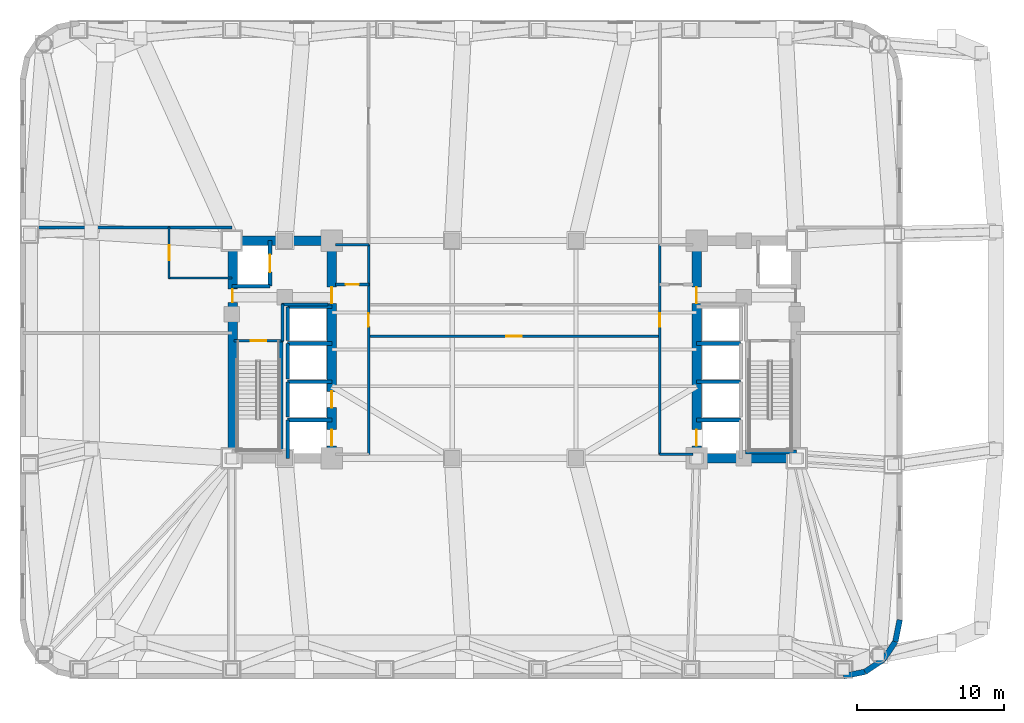
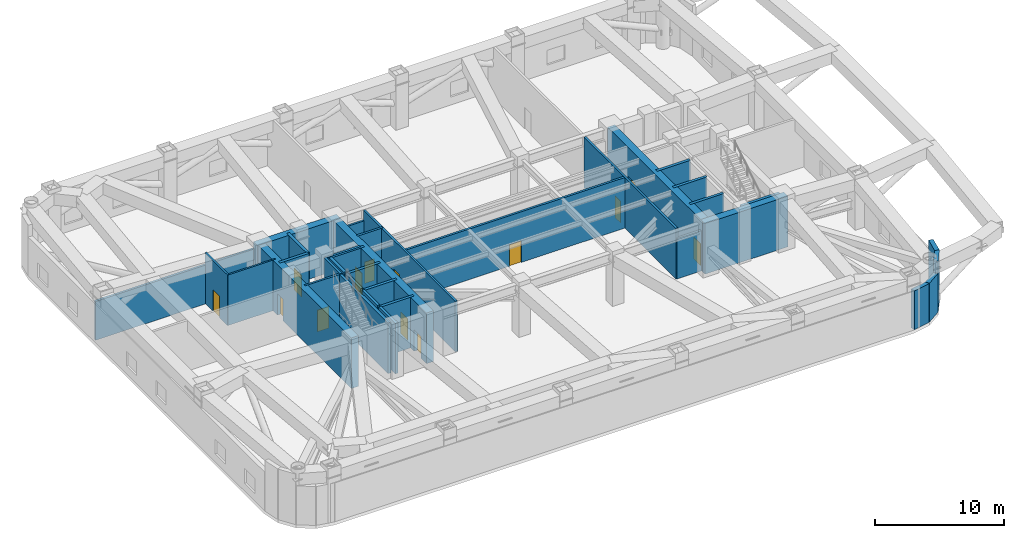
# One storey, part 5 of 9: 36 walls, 13 doors, 13 openings.
"""IFC4 building model written with IfcOpenShell, lengths in metres."""

from ifc_helpers import new_model, si_unit, direction, frame, frame_2d, origin, place, context, subcontext, project, spatial, rectangle, extrude, material, layer, layer_set, type_object, element, fill, save


model = new_model("IFC4")

# Units and contexts
model_context = context("Model", 3, precision=1e-05, world=origin(), true_north=direction((0.0, 1.0)))
body_context = subcontext(model_context, "Body", "Model", "MODEL_VIEW")
ifc_project = project(units=[si_unit("LENGTHUNIT", "METRE"), si_unit("AREAUNIT", "SQUARE_METRE"), si_unit("VOLUMEUNIT", "CUBIC_METRE"), si_unit("PLANEANGLEUNIT", "RADIAN"), si_unit("MASSUNIT", "GRAM", prefix="KILO")], contexts=[model_context])

# Site, building, storey
site_placement = place(None, origin())
site = spatial("IfcSite", under=ifc_project, at=site_placement, CompositionType="ELEMENT")
building_placement = place(site_placement, origin())
building = spatial("IfcBuilding", under=site, at=building_placement, Name="Voryun Gate Residences", CompositionType="ELEMENT")
storey_placement = place(building_placement, frame((0.0, 0.0, 80.60009765625)))
storey = spatial("IfcBuildingStorey", under=building, at=storey_placement, Name="L19", CompositionType="ELEMENT", Elevation=80.60009765625)

# Wall
ifc_material_1 = material(Name="Concrete C60/75", Category="concrete")
ifc_layer_1 = layer(ifc_material_1, 0.64990234375, Name="CW_CORE_650")
ifc_layer_set_1 = layer_set([ifc_layer_1], Name="Concrete C60/75")
wall_type_1 = type_object("IfcWallType", Name="CW_CORE_650", PredefinedType="SHEAR", material=ifc_layer_set_1)
wall_1_placement = place(storey_placement, frame((-19.52490234375, 7.39990234375, 0.0), z_axis=(0.0, 0.0, 1.0), x_axis=(1.0, 0.0, 0.0)))
element("IfcWall", 1, at=wall_1_placement, inside=storey, type_object=wall_type_1, Name="L19 Core shear wall CW-L19-WN", PredefinedType="SHEAR", context=body_context, shape_type="SweptSolid", body=[
    extrude(rectangle(XDim=7.449951171875, YDim=0.64990234375, at=frame_2d((3.72509765625, 0.0))), origin(), (0.0, 0.0, 1.0), 4.7998046875),
])

# Wall, opening, door
wall_2_placement = place(storey_placement, frame((-19.14501953125, -7.39990234375, 0.0), z_axis=(0.0, 0.0, 1.0), x_axis=(0.0, 1.0, 0.0)))
wall_2 = element("IfcWall", 2, at=wall_2_placement, inside=storey, type_object=wall_type_1, Name="L19 Core shear wall CW-L19-WW", PredefinedType="SHEAR", context=body_context, shape_type="SweptSolid", body=[
    extrude(rectangle(XDim=14.7998046875, YDim=0.64990234375, at=frame_2d((7.39990234375, 0.0))), origin(), (0.0, 0.0, 1.0), 4.7998046875),
])
opening_1_placement = place(wall_2_placement, frame((10.60009765625, 0.0, 0.0)))
opening_1 = element("IfcOpeningElement", 3, at=opening_1_placement, cuts=wall_2, Name="Opening D-FD60-4", PredefinedType="OPENING", context=body_context, shape_type="SweptSolid", body=[
    extrude(rectangle(XDim=0.89990234375, YDim=2.050048828125, at=frame_2d((0.449951171875, 1.02490234375))), frame((0.0, 0.3349609375, 0.0), z_axis=(0.0, -1.0, 0.0), x_axis=(1.0, 0.0, 0.0)), (0.0, 0.0, 1.0), 0.669921875),
])
ifc_material_2 = material(Name="Painted steel fire door", Category="steel")
door_type_1 = type_object("IfcDoorType", Name="DR_FD60_RISER_900", OperationType="NOTDEFINED", PredefinedType="DOOR", material=ifc_material_2)
door_1_placement = place(opening_1_placement, origin())
door_1 = element("IfcDoor", 4, at=door_1_placement, inside=storey, type_object=door_type_1, Name="Door DR-L19-STREF-W", OperationType="SINGLE_SWING_LEFT", OverallHeight=2.050048828125, OverallWidth=0.89990234375, PredefinedType="DOOR", context=body_context, shape_type="SweptSolid", body=[
    extrude(rectangle(XDim=0.89990234375, YDim=2.050048828125, at=frame_2d((0.449951171875, 1.02490234375))), frame((0.0, 0.02490234375, 0.0), z_axis=(0.0, -1.0, 0.0), x_axis=(1.0, 0.0, 0.0)), (0.0, 0.0, 1.0), 0.050048828125),
])
fill(opening_1, door_1)

# Wall, openings, doors
wall_3_placement = place(storey_placement, frame((-12.39990234375, -7.39990234375, 0.0), z_axis=(0.0, 0.0, 1.0), x_axis=(0.0, 1.0, 0.0)))
wall_3 = element("IfcWall", 5, at=wall_3_placement, inside=storey, type_object=wall_type_1, Name="L19 Core shear wall CW-L19-WE", PredefinedType="SHEAR", context=body_context, shape_type="SweptSolid", body=[
    extrude(rectangle(XDim=14.7998046875, YDim=0.64990234375, at=frame_2d((7.39990234375, 0.0))), origin(), (0.0, 0.0, 1.0), 4.7998046875),
])
opening_2_placement = place(wall_3_placement, frame((0.85009765625, 0.0, 0.0)))
opening_2 = element("IfcOpeningElement", 6, at=opening_2_placement, cuts=wall_3, Name="Opening LD2", PredefinedType="OPENING", context=body_context, shape_type="SweptSolid", body=[
    extrude(rectangle(XDim=1.10009765625, YDim=2.050048828125, at=frame_2d((0.550048828125, 1.02490234375))), frame((0.0, 0.3349609375, 0.0), z_axis=(0.0, -1.0, 0.0), x_axis=(1.0, 0.0, 0.0)), (0.0, 0.0, 1.0), 0.669921875),
])
opening_3_placement = place(wall_3_placement, frame((3.449951171875, 0.0, 0.0)))
opening_3 = element("IfcOpeningElement", 7, at=opening_3_placement, cuts=wall_3, Name="Opening LD2", PredefinedType="OPENING", context=body_context, shape_type="SweptSolid", body=[
    extrude(rectangle(XDim=1.10009765625, YDim=2.050048828125, at=frame_2d((0.550048828125, 1.02490234375))), frame((0.0, 0.3349609375, 0.0), z_axis=(0.0, -1.0, 0.0), x_axis=(1.0, 0.0, 0.0)), (0.0, 0.0, 1.0), 0.669921875),
])
opening_4_placement = place(wall_3_placement, frame((10.530029296875, 0.0, 0.0)))
opening_4 = element("IfcOpeningElement", 8, at=opening_4_placement, cuts=wall_3, Name="Opening D-FD60-2", PredefinedType="OPENING", context=body_context, shape_type="SweptSolid", body=[
    extrude(rectangle(XDim=1.10009765625, YDim=2.050048828125, at=frame_2d((0.550048828125, 1.02490234375))), frame((0.0, 0.3349609375, 0.0), z_axis=(0.0, -1.0, 0.0), x_axis=(1.0, 0.0, 0.0)), (0.0, 0.0, 1.0), 0.669921875),
])
ifc_material_3 = material(Name="Painted steel fire door", Category="steel")
door_type_2 = type_object("IfcDoorType", Name="DR_FD60_FFLOB_1100", OperationType="NOTDEFINED", PredefinedType="DOOR", material=ifc_material_3)
door_2_placement = place(opening_4_placement, origin())
door_2 = element("IfcDoor", 9, at=door_2_placement, inside=storey, type_object=door_type_2, Name="Door DR-L19-CLOB-W", OperationType="SINGLE_SWING_LEFT", OverallHeight=2.050048828125, OverallWidth=1.10009765625, PredefinedType="DOOR", context=body_context, shape_type="SweptSolid", body=[
    extrude(rectangle(XDim=1.10009765625, YDim=2.050048828125, at=frame_2d((0.550048828125, 1.02490234375))), frame((0.0, 0.02490234375, 0.0), z_axis=(0.0, -1.0, 0.0), x_axis=(1.0, 0.0, 0.0)), (0.0, 0.0, 1.0), 0.050048828125),
])
fill(opening_4, door_2)
ifc_material_4 = material(Name="Anodised aluminium", Category="aluminium")
door_type_3 = type_object("IfcDoorType", Name="DR_LD_PASS_1100", OperationType="NOTDEFINED", PredefinedType="DOOR", material=ifc_material_4)
door_3_placement = place(opening_2_placement, origin())
door_3 = element("IfcDoor", 10, at=door_3_placement, inside=storey, type_object=door_type_3, Name="Lift EL-P1 sliding landing door L19", OperationType="SLIDING_TO_LEFT", OverallHeight=2.050048828125, OverallWidth=1.10009765625, PredefinedType="DOOR", context=body_context, shape_type="SweptSolid", body=[
    extrude(rectangle(XDim=1.10009765625, YDim=2.050048828125, at=frame_2d((0.550048828125, 1.02490234375))), frame((0.0, 0.02490234375, 0.0), z_axis=(0.0, -1.0, 0.0), x_axis=(1.0, 0.0, 0.0)), (0.0, 0.0, 1.0), 0.050048828125),
])
fill(opening_2, door_3)
door_4_placement = place(opening_3_placement, origin())
door_4 = element("IfcDoor", 11, at=door_4_placement, inside=storey, type_object=door_type_3, Name="Lift EL-P2 sliding landing door L19", OperationType="SLIDING_TO_LEFT", OverallHeight=2.050048828125, OverallWidth=1.10009765625, PredefinedType="DOOR", context=body_context, shape_type="SweptSolid", body=[
    extrude(rectangle(XDim=1.10009765625, YDim=2.050048828125, at=frame_2d((0.550048828125, 1.02490234375))), frame((0.0, 0.02490234375, 0.0), z_axis=(0.0, -1.0, 0.0), x_axis=(1.0, 0.0, 0.0)), (0.0, 0.0, 1.0), 0.050048828125),
])
fill(opening_3, door_4)

# Wall
wall_4_placement = place(storey_placement, frame((12.074951171875, -7.39990234375, 0.0), z_axis=(0.0, 0.0, 1.0), x_axis=(1.0, 0.0, 0.0)))
element("IfcWall", 12, at=wall_4_placement, inside=storey, type_object=wall_type_1, Name="L19 Core shear wall CW-L19-ES", PredefinedType="SHEAR", context=body_context, shape_type="SweptSolid", body=[
    extrude(rectangle(XDim=7.449951171875, YDim=0.64990234375, at=frame_2d((3.72509765625, 0.0))), origin(), (0.0, 0.0, 1.0), 4.7998046875),
])

# Wall, openings, doors
wall_5_placement = place(storey_placement, frame((12.39990234375, -7.39990234375, 0.0), z_axis=(0.0, 0.0, 1.0), x_axis=(0.0, 1.0, 0.0)))
wall_5 = element("IfcWall", 13, at=wall_5_placement, inside=storey, type_object=wall_type_1, Name="L19 Core shear wall CW-L19-EW", PredefinedType="SHEAR", context=body_context, shape_type="SweptSolid", body=[
    extrude(rectangle(XDim=14.7998046875, YDim=0.64990234375, at=frame_2d((7.39990234375, 0.0))), origin(), (0.0, 0.0, 1.0), 4.7998046875),
])
opening_5_placement = place(wall_5_placement, frame((0.85009765625, 0.0, 0.0)))
opening_5 = element("IfcOpeningElement", 14, at=opening_5_placement, cuts=wall_5, Name="Opening LD2", PredefinedType="OPENING", context=body_context, shape_type="SweptSolid", body=[
    extrude(rectangle(XDim=1.10009765625, YDim=2.050048828125, at=frame_2d((0.550048828125, 1.02490234375))), frame((0.0, 0.3349609375, 0.0), z_axis=(0.0, -1.0, 0.0), x_axis=(1.0, 0.0, 0.0)), (0.0, 0.0, 1.0), 0.669921875),
])
opening_6_placement = place(wall_5_placement, frame((10.530029296875, 0.0, 0.0)))
opening_6 = element("IfcOpeningElement", 15, at=opening_6_placement, cuts=wall_5, Name="Opening D-FD60-2", PredefinedType="OPENING", context=body_context, shape_type="SweptSolid", body=[
    extrude(rectangle(XDim=1.10009765625, YDim=2.050048828125, at=frame_2d((0.550048828125, 1.02490234375))), frame((0.0, 0.3349609375, 0.0), z_axis=(0.0, -1.0, 0.0), x_axis=(1.0, 0.0, 0.0)), (0.0, 0.0, 1.0), 0.669921875),
])
door_5_placement = place(opening_6_placement, origin())
door_5 = element("IfcDoor", 16, at=door_5_placement, inside=storey, type_object=door_type_2, Name="Door DR-L19-CLOB-E", OperationType="SINGLE_SWING_RIGHT", OverallHeight=2.050048828125, OverallWidth=1.10009765625, PredefinedType="DOOR", context=body_context, shape_type="SweptSolid", body=[
    extrude(rectangle(XDim=1.10009765625, YDim=2.050048828125, at=frame_2d((0.550048828125, 1.02490234375))), frame((0.0, 0.02490234375, 0.0), z_axis=(0.0, -1.0, 0.0), x_axis=(1.0, 0.0, 0.0)), (0.0, 0.0, 1.0), 0.050048828125),
])
fill(opening_6, door_5)
door_6_placement = place(opening_5_placement, origin())
door_6 = element("IfcDoor", 17, at=door_6_placement, inside=storey, type_object=door_type_3, Name="Lift EL-P3 sliding landing door L19", OperationType="SLIDING_TO_LEFT", OverallHeight=2.050048828125, OverallWidth=1.10009765625, PredefinedType="DOOR", context=body_context, shape_type="SweptSolid", body=[
    extrude(rectangle(XDim=1.10009765625, YDim=2.050048828125, at=frame_2d((0.550048828125, 1.02490234375))), frame((0.0, 0.02490234375, 0.0), z_axis=(0.0, -1.0, 0.0), x_axis=(1.0, 0.0, 0.0)), (0.0, 0.0, 1.0), 0.050048828125),
])
fill(opening_5, door_6)

# Wall, opening, door
ifc_material_5 = material(Name="Gypsum acoustic fireboard")
ifc_layer_2 = layer(ifc_material_5, 0.179931640625, Name="W_CORR_RATED_180")
ifc_layer_set_2 = layer_set([ifc_layer_2], Name="Gypsum acoustic fireboard")
wall_type_2 = type_object("IfcWallType", Name="W_CORR_RATED_180", PredefinedType="PARTITIONING", material=ifc_layer_set_2)
wall_6_placement = place(storey_placement, frame((-19.06005859375, 0.60009765625, 0.0), z_axis=(0.0, 0.0, 1.0), x_axis=(1.0, 0.0, 0.0)))
wall_6 = element("IfcWall", 18, at=wall_6_placement, inside=storey, type_object=wall_type_2, Name="Partition wall WP-L19-STV-W", PredefinedType="PARTITIONING", context=body_context, shape_type="SweptSolid", body=[
    extrude(rectangle(XDim=3.360107421875, YDim=0.179931640625, at=frame_2d((1.68017578125, 0.0))), origin(), (0.0, 0.0, 1.0), 4.7998046875),
])
opening_7_placement = place(wall_6_placement, frame((1.155029296875, 0.0, 0.0)))
opening_7 = element("IfcOpeningElement", 19, at=opening_7_placement, cuts=wall_6, Name="Opening D-FD60-1", PredefinedType="OPENING", context=body_context, shape_type="SweptSolid", body=[
    extrude(rectangle(XDim=1.050048828125, YDim=2.050048828125, at=frame_2d((0.52490234375, 1.02490234375))), frame((0.0, 0.099853515625, 0.0), z_axis=(0.0, -1.0, 0.0), x_axis=(1.0, 0.0, 0.0)), (0.0, 0.0, 1.0), 0.199951171875),
])
ifc_material_6 = material(Name="Painted steel fire door", Category="steel")
door_type_4 = type_object("IfcDoorType", Name="DR_FD60_STAIR_1050", OperationType="NOTDEFINED", PredefinedType="DOOR", material=ifc_material_6)
door_7_placement = place(opening_7_placement, origin())
door_7 = element("IfcDoor", 20, at=door_7_placement, inside=storey, type_object=door_type_4, Name="Door DR-L19-ST-W", OperationType="SINGLE_SWING_LEFT", OverallHeight=2.050048828125, OverallWidth=1.050048828125, PredefinedType="DOOR", context=body_context, shape_type="SweptSolid", body=[
    extrude(rectangle(XDim=1.050048828125, YDim=2.050048828125, at=frame_2d((0.52490234375, 1.02490234375))), frame((0.0, 0.02490234375, 0.0), z_axis=(0.0, -1.0, 0.0), x_axis=(1.0, 0.0, 0.0)), (0.0, 0.0, 1.0), 0.050048828125),
])
fill(opening_7, door_7)

# Walls
for number, where, z_axis, x_axis, name in (
    (21, (-12.14990234375, 7.1201171875, 0.0), (0.0, 0.0, 1.0), (1.0, 0.0, 0.0), "Partition wall WP-L19-PLBN-W"),
    (22, (9.8798828125, -7.1201171875, 0.0), (0.0, 0.0, 1.0), (1.0, 0.0, 0.0), "Partition wall WP-L19-PLBS-E"),
):
    element("IfcWall", number, at=place(storey_placement, frame(where, z_axis=z_axis, x_axis=x_axis)), inside=storey, type_object=wall_type_2, Name=name, PredefinedType="PARTITIONING", context=body_context, shape_type="SweptSolid", body=[
        extrude(rectangle(XDim=2.27001953125, YDim=0.179931640625, at=frame_2d((1.135009765625, 0.0))), origin(), (0.0, 0.0, 1.0), 3.83984375),
    ])

# Wall, opening, door
wall_7_placement = place(storey_placement, frame((-9.89990234375, -7.139892578125, 0.0), z_axis=(0.0, 0.0, 1.0), x_axis=(0.0, 1.0, 0.0)))
wall_7 = element("IfcWall", 23, at=wall_7_placement, inside=storey, type_object=wall_type_2, Name="Partition wall WP-L19-PLBW", PredefinedType="PARTITIONING", context=body_context, shape_type="SweptSolid", body=[
    extrude(rectangle(XDim=14.27978515625, YDim=0.179931640625, at=frame_2d((7.139892578125, 0.0))), origin(), (0.0, 0.0, 1.0), 4.7998046875),
])
opening_8_placement = place(wall_7_placement, frame((8.689208984375, 0.0, 0.0)))
opening_8 = element("IfcOpeningElement", 24, at=opening_8_placement, cuts=wall_7, Name="Opening D-FD60-4", PredefinedType="OPENING", context=body_context, shape_type="SweptSolid", body=[
    extrude(rectangle(XDim=0.89990234375, YDim=2.050048828125, at=frame_2d((0.449951171875, 1.02490234375))), frame((0.0, 0.099853515625, 0.0), z_axis=(0.0, -1.0, 0.0), x_axis=(1.0, 0.0, 0.0)), (0.0, 0.0, 1.0), 0.199951171875),
])
door_8_placement = place(opening_8_placement, origin())
door_8 = element("IfcDoor", 25, at=door_8_placement, inside=storey, type_object=door_type_1, Name="Door DR-L19-PLBW", OperationType="SINGLE_SWING_LEFT", OverallHeight=2.050048828125, OverallWidth=0.89990234375, PredefinedType="DOOR", context=body_context, shape_type="SweptSolid", body=[
    extrude(rectangle(XDim=0.89990234375, YDim=2.050048828125, at=frame_2d((0.449951171875, 1.02490234375))), frame((0.0, 0.02490234375, 0.0), z_axis=(0.0, -1.0, 0.0), x_axis=(1.0, 0.0, 0.0)), (0.0, 0.0, 1.0), 0.050048828125),
])
fill(opening_8, door_8)

wall_8_placement = place(storey_placement, frame((9.89990234375, -7.139892578125, 0.0), z_axis=(0.0, 0.0, 1.0), x_axis=(0.0, 1.0, 0.0)))
wall_8 = element("IfcWall", 26, at=wall_8_placement, inside=storey, type_object=wall_type_2, Name="Partition wall WP-L19-PLBE", PredefinedType="PARTITIONING", context=body_context, shape_type="SweptSolid", body=[
    extrude(rectangle(XDim=14.27978515625, YDim=0.179931640625, at=frame_2d((7.139892578125, 0.0))), origin(), (0.0, 0.0, 1.0), 4.7998046875),
])
opening_9_placement = place(wall_8_placement, frame((8.689208984375, 0.0, 0.0)))
opening_9 = element("IfcOpeningElement", 27, at=opening_9_placement, cuts=wall_8, Name="Opening D-FD60-4", PredefinedType="OPENING", context=body_context, shape_type="SweptSolid", body=[
    extrude(rectangle(XDim=0.89990234375, YDim=2.050048828125, at=frame_2d((0.449951171875, 1.02490234375))), frame((0.0, 0.099853515625, 0.0), z_axis=(0.0, -1.0, 0.0), x_axis=(1.0, 0.0, 0.0)), (0.0, 0.0, 1.0), 0.199951171875),
])
door_9_placement = place(opening_9_placement, origin())
door_9 = element("IfcDoor", 28, at=door_9_placement, inside=storey, type_object=door_type_1, Name="Door DR-L19-PLBE", OperationType="SINGLE_SWING_RIGHT", OverallHeight=2.050048828125, OverallWidth=0.89990234375, PredefinedType="DOOR", context=body_context, shape_type="SweptSolid", body=[
    extrude(rectangle(XDim=0.89990234375, YDim=2.050048828125, at=frame_2d((0.449951171875, 1.02490234375))), frame((0.0, 0.02490234375, 0.0), z_axis=(0.0, -1.0, 0.0), x_axis=(1.0, 0.0, 0.0)), (0.0, 0.0, 1.0), 0.050048828125),
])
fill(opening_9, door_9)

# Walls
ifc_material_7 = material(Name="Granite masonry", Category="masonry")
ifc_layer_3 = layer(ifc_material_7, 0.3798828125, Name="W_EXT_GRANITE_380")
ifc_layer_set_3 = layer_set([ifc_layer_3], Name="Granite masonry")
wall_type_3 = type_object("IfcWallType", Name="W_EXT_GRANITE_380", PredefinedType="ELEMENTEDWALL", material=ifc_layer_set_3)
wall_9_placement = place(storey_placement, frame((26.2099609375, -18.38134765625, 0.0), z_axis=(0.0, 0.0, 1.0), x_axis=(-0.195086038585, -0.980786132421, 0.0)))
element("IfcWall", 29, at=wall_9_placement, inside=storey, type_object=wall_type_3, Name="Exterior wall WEXT-L19-17", PredefinedType="ELEMENTEDWALL", context=body_context, shape_type="SweptSolid", body=[
    extrude(rectangle(XDim=1.504150390625, YDim=0.3798828125, at=frame_2d((0.751953125, 0.0))), origin(), (0.0, 0.0, 1.0), 4.7998046875),
])
wall_10_placement = place(storey_placement, frame((25.91650390625, -19.856689453125, 0.0), z_axis=(0.0, 0.0, 1.0), x_axis=(-0.555686231674, -0.831392092774, 0.0)))
element("IfcWall", 30, at=wall_10_placement, inside=storey, type_object=wall_type_3, Name="Exterior wall WEXT-L19-18", PredefinedType="ELEMENTEDWALL", context=body_context, shape_type="SweptSolid", body=[
    extrude(rectangle(XDim=1.485107421875, YDim=0.3798828125, at=frame_2d((0.74267578125, 0.0))), origin(), (0.0, 0.0, 1.0), 4.7998046875),
])
wall_11_placement = place(storey_placement, frame((25.09130859375, -21.09130859375, 0.0), z_axis=(0.0, 0.0, 1.0), x_axis=(-0.831392092774, -0.555686231674, 0.0)))
element("IfcWall", 31, at=wall_11_placement, inside=storey, type_object=wall_type_3, Name="Exterior wall WEXT-L19-19", PredefinedType="ELEMENTEDWALL", context=body_context, shape_type="SweptSolid", body=[
    extrude(rectangle(XDim=1.485107421875, YDim=0.3798828125, at=frame_2d((0.74267578125, 0.0))), origin(), (0.0, 0.0, 1.0), 3.68994140625),
])
wall_12_placement = place(storey_placement, frame((23.856689453125, -21.91650390625, 0.0), z_axis=(0.0, 0.0, 1.0), x_axis=(-0.980786132421, -0.195086038585, 0.0)))
element("IfcWall", 32, at=wall_12_placement, inside=storey, type_object=wall_type_3, Name="Exterior wall WEXT-L19-20", PredefinedType="ELEMENTEDWALL", context=body_context, shape_type="SweptSolid", body=[
    extrude(rectangle(XDim=1.504150390625, YDim=0.3798828125, at=frame_2d((0.751953125, 0.0))), origin(), (0.0, 0.0, 1.0), 3.68994140625),
])
ifc_material_8 = material(Name="Concrete C40/50", Category="concrete")
ifc_layer_4 = layer(ifc_material_8, 0.199951171875, Name="W_FF_LOBBY_200")
ifc_layer_set_4 = layer_set([ifc_layer_4], Name="Concrete C40/50")
wall_type_4 = type_object("IfcWallType", Name="W_FF_LOBBY_200", PredefinedType="PARTITIONING", material=ifc_layer_set_4)
wall_13_placement = place(storey_placement, frame((-15.760009765625, 0.580078125, 0.0), z_axis=(0.0, 0.0, 1.0), x_axis=(0.0, 1.0, 0.0)))
element("IfcWall", 33, at=wall_13_placement, inside=storey, type_object=wall_type_4, Name="Partition wall WP-L19-FFP0-W", PredefinedType="PARTITIONING", context=body_context, shape_type="SweptSolid", body=[
    extrude(rectangle(XDim=2.52001953125, YDim=0.199951171875, at=frame_2d((1.260009765625, 0.0))), origin(), (0.0, 0.0, 1.0), 4.7998046875),
])
wall_14_placement = place(storey_placement, frame((-15.820068359375, 3.06005859375, 0.0), z_axis=(0.0, 0.0, 1.0), x_axis=(1.0, 0.0, 0.0)))
element("IfcWall", 34, at=wall_14_placement, inside=storey, type_object=wall_type_4, Name="Partition wall WP-L19-FFPS-W", PredefinedType="PARTITIONING", context=body_context, shape_type="SweptSolid", body=[
    extrude(rectangle(XDim=3.16015625, YDim=0.199951171875, at=frame_2d((1.580078125, 0.0))), origin(), (0.0, 0.0, 1.0), 4.7998046875),
])

# Wall, opening, door
wall_15_placement = place(storey_placement, frame((-12.14990234375, 4.409912109375, 0.0), z_axis=(0.0, 0.0, 1.0), x_axis=(1.0, 0.0, 0.0)))
wall_15 = element("IfcWall", 35, at=wall_15_placement, inside=storey, type_object=wall_type_4, Name="Partition wall WP-L19-CSFLKS-W", PredefinedType="PARTITIONING", context=body_context, shape_type="SweptSolid", body=[
    extrude(rectangle(XDim=2.27001953125, YDim=0.199951171875, at=frame_2d((1.135009765625, 0.0))), origin(), (0.0, 0.0, 1.0), 4.7998046875),
])
opening_10_placement = place(wall_15_placement, frame((0.68505859375, 0.0, 0.0)))
opening_10 = element("IfcOpeningElement", 36, at=opening_10_placement, cuts=wall_15, Name="Opening D-FD60-4", PredefinedType="OPENING", context=body_context, shape_type="SweptSolid", body=[
    extrude(rectangle(XDim=0.89990234375, YDim=2.050048828125, at=frame_2d((0.449951171875, 1.02490234375))), frame((0.0, 0.110107421875, 0.0), z_axis=(0.0, -1.0, 0.0), x_axis=(1.0, 0.0, 0.0)), (0.0, 0.0, 1.0), 0.219970703125),
])
door_10_placement = place(opening_10_placement, origin())
door_10 = element("IfcDoor", 37, at=door_10_placement, inside=storey, type_object=door_type_1, Name="Door DR-L19-CSFLK-W", OperationType="SINGLE_SWING_LEFT", OverallHeight=2.050048828125, OverallWidth=0.89990234375, PredefinedType="DOOR", context=body_context, shape_type="SweptSolid", body=[
    extrude(rectangle(XDim=0.89990234375, YDim=2.050048828125, at=frame_2d((0.449951171875, 1.02490234375))), frame((0.0, 0.02490234375, 0.0), z_axis=(0.0, -1.0, 0.0), x_axis=(1.0, 0.0, 0.0)), (0.0, 0.0, 1.0), 0.050048828125),
])
fill(opening_10, door_10)

wall_16_placement = place(storey_placement, frame((-9.949951171875, 0.89990234375, 0.0), z_axis=(0.0, 0.0, 1.0), x_axis=(1.0, 0.0, 0.0)))
wall_16 = element("IfcWall", 38, at=wall_16_placement, inside=storey, type_object=wall_type_4, Name="Partition wall WP-L19-RS", PredefinedType="PARTITIONING", context=body_context, shape_type="SweptSolid", body=[
    extrude(rectangle(XDim=19.89990234375, YDim=0.199951171875, at=frame_2d((9.949951171875, 0.0))), origin(), (0.0, 0.0, 1.0), 4.7998046875),
])
opening_11_placement = place(wall_16_placement, frame((9.425048828125, 0.0, 0.0)))
opening_11 = element("IfcOpeningElement", 39, at=opening_11_placement, cuts=wall_16, Name="Opening D-FD60-1", PredefinedType="OPENING", context=body_context, shape_type="SweptSolid", body=[
    extrude(rectangle(XDim=1.050048828125, YDim=2.050048828125, at=frame_2d((0.52490234375, 1.02490234375))), frame((0.0, 0.110107421875, 0.0), z_axis=(0.0, -1.0, 0.0), x_axis=(1.0, 0.0, 0.0)), (0.0, 0.0, 1.0), 0.219970703125),
])
door_11_placement = place(opening_11_placement, origin())
door_11 = element("IfcDoor", 40, at=door_11_placement, inside=storey, type_object=door_type_4, Name="Door DR-L19-PL2", OperationType="SINGLE_SWING_RIGHT", OverallHeight=2.050048828125, OverallWidth=1.050048828125, PredefinedType="DOOR", context=body_context, shape_type="SweptSolid", body=[
    extrude(rectangle(XDim=1.050048828125, YDim=2.050048828125, at=frame_2d((0.52490234375, 1.02490234375))), frame((0.0, 0.02490234375, 0.0), z_axis=(0.0, -1.0, 0.0), x_axis=(1.0, 0.0, 0.0)), (0.0, 0.0, 1.0), 0.050048828125),
])
fill(opening_11, door_11)

# Walls
wall_17_placement = place(storey_placement, frame((-33.409912109375, 8.300048828125, 0.0), z_axis=(0.0, 0.0, 1.0), x_axis=(1.0, 0.0, 0.0)))
element("IfcWall", 41, at=wall_17_placement, inside=storey, type_object=wall_type_4, Name="Partition wall WP-L19-RFNW", PredefinedType="PARTITIONING", context=body_context, shape_type="SweptSolid", body=[
    extrude(rectangle(XDim=14.2099609375, YDim=0.199951171875, at=frame_2d((7.10498046875, 0.0))), origin(), (0.0, 0.0, 1.0), 3.68994140625),
])
ifc_material_9 = material(Name="Concrete C50/60", Category="concrete")
ifc_layer_5 = layer(ifc_material_9, 0.25, Name="W_SHAFT_RC250")
ifc_layer_set_5 = layer_set([ifc_layer_5], Name="Concrete C50/60")
wall_type_5 = type_object("IfcWallType", Name="W_SHAFT_RC250", PredefinedType="SOLIDWALL", material=ifc_layer_set_5)
wall_18_placement = place(storey_placement, frame((-15.860107421875, -7.0849609375, 0.0), z_axis=(0.0, 0.0, 1.0), x_axis=(0.0, 1.0, 0.0)))
element("IfcWall", 42, at=wall_18_placement, inside=storey, type_object=wall_type_5, Name="L19 Stair shaft structural wall W-STR", PredefinedType="SOLIDWALL", context=body_context, shape_type="SweptSolid", body=[
    extrude(rectangle(XDim=7.68505859375, YDim=0.25, at=frame_2d((3.842529296875, 0.0))), origin(), (0.0, 0.0, 1.0), 4.7998046875),
])
wall_19_placement = place(storey_placement, frame((15.739990234375, -6.965087890625, 0.0), z_axis=(0.0, 0.0, 1.0), x_axis=(1.0, 0.0, 0.0)))
element("IfcWall", 43, at=wall_19_placement, inside=storey, type_object=wall_type_5, Name="L19 Stair shaft structural wall E-STS", PredefinedType="SOLIDWALL", context=body_context, shape_type="SweptSolid", body=[
    extrude(rectangle(XDim=3.4599609375, YDim=0.25, at=frame_2d((1.72998046875, 0.0))), origin(), (0.0, 0.0, 1.0), 4.7998046875),
])
wall_20_placement = place(storey_placement, frame((-19.199951171875, 4.300048828125, 0.0), z_axis=(0.0, 0.0, 1.0), x_axis=(1.0, 0.0, 0.0)))
element("IfcWall", 44, at=wall_20_placement, inside=storey, type_object=wall_type_5, Name="Lift shaft wall WSH-L19-EL-FF-W1-S", PredefinedType="SOLIDWALL", context=body_context, shape_type="SweptSolid", body=[
    extrude(rectangle(XDim=2.599853515625, YDim=0.25, at=frame_2d((1.2998046875, 0.0))), origin(), (0.0, 0.0, 1.0), 4.7998046875),
])

# Wall, opening, door
wall_21_placement = place(storey_placement, frame((-16.60009765625, 4.300048828125, 0.0), z_axis=(0.0, 0.0, 1.0), x_axis=(0.0, 1.0, 0.0)))
wall_21 = element("IfcWall", 45, at=wall_21_placement, inside=storey, type_object=wall_type_5, Name="Lift shaft wall WSH-L19-EL-FF-W1-E", PredefinedType="SOLIDWALL", context=body_context, shape_type="SweptSolid", body=[
    extrude(rectangle(XDim=3.099853515625, YDim=0.25, at=frame_2d((1.5498046875, 0.0))), origin(), (0.0, 0.0, 1.0), 4.7998046875),
])
opening_12_placement = place(wall_21_placement, frame((0.949951171875, 0.0, 0.0)))
opening_12 = element("IfcOpeningElement", 46, at=opening_12_placement, cuts=wall_21, Name="Opening LD1", PredefinedType="OPENING", context=body_context, shape_type="SweptSolid", body=[
    extrude(rectangle(XDim=1.199951171875, YDim=2.050048828125, at=frame_2d((0.60009765625, 1.02490234375))), frame((0.0, 0.135009765625, 0.0), z_axis=(0.0, -1.0, 0.0), x_axis=(1.0, 0.0, 0.0)), (0.0, 0.0, 1.0), 0.27001953125),
])
ifc_material_10 = material(Name="Anodised aluminium", Category="aluminium")
door_type_5 = type_object("IfcDoorType", Name="DR_LD_FF_1200", OperationType="NOTDEFINED", PredefinedType="DOOR", material=ifc_material_10)
door_12_placement = place(opening_12_placement, origin())
door_12 = element("IfcDoor", 47, at=door_12_placement, inside=storey, type_object=door_type_5, Name="Lift EL-FF-W1 sliding landing door L19", OperationType="SLIDING_TO_LEFT", OverallHeight=2.050048828125, OverallWidth=1.199951171875, PredefinedType="DOOR", context=body_context, shape_type="SweptSolid", body=[
    extrude(rectangle(XDim=1.199951171875, YDim=2.050048828125, at=frame_2d((0.60009765625, 1.02490234375))), frame((0.0, 0.02490234375, 0.0), z_axis=(0.0, -1.0, 0.0), x_axis=(1.0, 0.0, 0.0)), (0.0, 0.0, 1.0), 0.050048828125),
])
fill(opening_12, door_12)

# Walls
wall_22_placement = place(storey_placement, frame((-12.39990234375, -4.800048828125, 0.0), z_axis=(0.0, 0.0, 1.0), x_axis=(-1.0, 0.0, 0.0)))
element("IfcWall", 48, at=wall_22_placement, inside=storey, type_object=wall_type_5, Name="Lift shaft wall WSH-L19-EL-P1-N", PredefinedType="SOLIDWALL", context=body_context, shape_type="SweptSolid", body=[
    extrude(rectangle(XDim=3.0, YDim=0.25, at=frame_2d((1.5, 0.0))), origin(), (0.0, 0.0, 1.0), 4.7998046875),
])
wall_23_placement = place(storey_placement, frame((-15.39990234375, -4.800048828125, 0.0), z_axis=(0.0, 0.0, 1.0), x_axis=(0.0, -1.0, 0.0)))
element("IfcWall", 49, at=wall_23_placement, inside=storey, type_object=wall_type_5, Name="Lift shaft wall WSH-L19-EL-P1-W", PredefinedType="SOLIDWALL", context=body_context, shape_type="SweptSolid", body=[
    extrude(rectangle(XDim=2.599853515625, YDim=0.25, at=frame_2d((1.2998046875, 0.0))), origin(), (0.0, 0.0, 1.0), 4.7998046875),
])
wall_24_placement = place(storey_placement, frame((-12.39990234375, -2.199951171875, 0.0), z_axis=(0.0, 0.0, 1.0), x_axis=(-1.0, 0.0, 0.0)))
element("IfcWall", 50, at=wall_24_placement, inside=storey, type_object=wall_type_5, Name="Lift shaft wall WSH-L19-EL-P2-N", PredefinedType="SOLIDWALL", context=body_context, shape_type="SweptSolid", body=[
    extrude(rectangle(XDim=3.0, YDim=0.25, at=frame_2d((1.5, 0.0))), origin(), (0.0, 0.0, 1.0), 4.7998046875),
])
wall_25_placement = place(storey_placement, frame((-15.39990234375, -2.199951171875, 0.0), z_axis=(0.0, 0.0, 1.0), x_axis=(0.0, -1.0, 0.0)))
element("IfcWall", 51, at=wall_25_placement, inside=storey, type_object=wall_type_5, Name="Lift shaft wall WSH-L19-EL-P2-W", PredefinedType="SOLIDWALL", context=body_context, shape_type="SweptSolid", body=[
    extrude(rectangle(XDim=2.400146484375, YDim=0.25, at=frame_2d((1.2001953125, 0.0))), origin(), (0.0, 0.0, 1.0), 4.7998046875),
])
for number, where, z_axis, x_axis, name in (
    (52, (15.39990234375, -4.800048828125, 0.0), (0.0, 0.0, 1.0), (-1.0, 0.0, 0.0), "Lift shaft wall WSH-L19-EL-P3-N"),
    (53, (-12.39990234375, 0.39990234375, 0.0), (0.0, 0.0, 1.0), (-1.0, 0.0, 0.0), "Lift shaft wall WSH-L19-EL-P4-N"),
):
    element("IfcWall", number, at=place(storey_placement, frame(where, z_axis=z_axis, x_axis=x_axis)), inside=storey, type_object=wall_type_5, Name=name, PredefinedType="SOLIDWALL", context=body_context, shape_type="SweptSolid", body=[
        extrude(rectangle(XDim=3.0, YDim=0.25, at=frame_2d((1.5, 0.0))), origin(), (0.0, 0.0, 1.0), 4.7998046875),
    ])
wall_26_placement = place(storey_placement, frame((-15.39990234375, 0.39990234375, 0.0), z_axis=(0.0, 0.0, 1.0), x_axis=(0.0, -1.0, 0.0)))
element("IfcWall", 54, at=wall_26_placement, inside=storey, type_object=wall_type_5, Name="Lift shaft wall WSH-L19-EL-P4-W", PredefinedType="SOLIDWALL", context=body_context, shape_type="SweptSolid", body=[
    extrude(rectangle(XDim=2.39990234375, YDim=0.25, at=frame_2d((1.199951171875, 0.0))), origin(), (0.0, 0.0, 1.0), 4.7998046875),
])
for number, where, z_axis, x_axis, name in (
    (55, (15.39990234375, -2.199951171875, 0.0), (0.0, 0.0, 1.0), (-1.0, 0.0, 0.0), "Lift shaft wall WSH-L19-EL-P5-N"),
    (56, (15.39990234375, 0.39990234375, 0.0), (0.0, 0.0, 1.0), (-1.0, 0.0, 0.0), "Lift shaft wall WSH-L19-EL-P6-N"),
    (57, (-12.39990234375, 2.89990234375, 0.0), (0.0, 0.0, 1.0), (-1.0, 0.0, 0.0), "Lift shaft wall WSH-L19-EL-P7-N"),
):
    element("IfcWall", number, at=place(storey_placement, frame(where, z_axis=z_axis, x_axis=x_axis)), inside=storey, type_object=wall_type_5, Name=name, PredefinedType="SOLIDWALL", context=body_context, shape_type="SweptSolid", body=[
        extrude(rectangle(XDim=3.0, YDim=0.25, at=frame_2d((1.5, 0.0))), origin(), (0.0, 0.0, 1.0), 4.7998046875),
    ])
wall_27_placement = place(storey_placement, frame((-15.39990234375, 2.89990234375, 0.0), z_axis=(0.0, 0.0, 1.0), x_axis=(0.0, -1.0, 0.0)))
element("IfcWall", 58, at=wall_27_placement, inside=storey, type_object=wall_type_5, Name="Lift shaft wall WSH-L19-EL-P7-W", PredefinedType="SOLIDWALL", context=body_context, shape_type="SweptSolid", body=[
    extrude(rectangle(XDim=2.2998046875, YDim=0.25, at=frame_2d((1.14990234375, 0.0))), origin(), (0.0, 0.0, 1.0), 4.7998046875),
])

# Wall, opening, door
ifc_material_11 = material(Name="Gypsum moisture-resistant partition")
ifc_layer_6 = layer(ifc_material_11, 0.14990234375, Name="W_WET_PLUMB_150")
ifc_layer_set_6 = layer_set([ifc_layer_6], Name="Gypsum moisture-resistant partition")
wall_type_6 = type_object("IfcWallType", Name="W_WET_PLUMB_150", PredefinedType="PLUMBINGWALL", material=ifc_layer_set_6)
wall_28_placement = place(storey_placement, frame((-23.4599609375, 4.820068359375, 0.0), z_axis=(0.0, 0.0, 1.0), x_axis=(0.0, 1.0, 0.0)))
wall_28 = element("IfcWall", 59, at=wall_28_placement, inside=storey, type_object=wall_type_6, Name="Partition wall WP-L19-RFWCW", PredefinedType="PLUMBINGWALL", context=body_context, shape_type="SweptSolid", body=[
    extrude(rectangle(XDim=3.5, YDim=0.14990234375, at=frame_2d((1.75, 0.0))), origin(), (0.0, 0.0, 1.0), 4.7998046875),
])
opening_13_placement = place(wall_28_placement, frame((1.25, 0.0, 0.0)))
opening_13 = element("IfcOpeningElement", 60, at=opening_13_placement, cuts=wall_28, Name="Opening D-AWC-1", PredefinedType="OPENING", context=body_context, shape_type="SweptSolid", body=[
    extrude(rectangle(XDim=1.0, YDim=2.050048828125, at=frame_2d((0.5, 1.02490234375))), frame((0.0, 0.0849609375, 0.0), z_axis=(0.0, -1.0, 0.0), x_axis=(1.0, 0.0, 0.0)), (0.0, 0.0, 1.0), 0.169921875),
])
ifc_material_12 = material(Name="Architectural oak veneer")
door_type_6 = type_object("IfcDoorType", Name="DR_ACC_WC_1000", OperationType="NOTDEFINED", PredefinedType="DOOR", material=ifc_material_12)
door_13_placement = place(opening_13_placement, origin())
door_13 = element("IfcDoor", 61, at=door_13_placement, inside=storey, type_object=door_type_6, Name="Door DR-L19-RFWC", OperationType="SINGLE_SWING_LEFT", OverallHeight=2.050048828125, OverallWidth=1.0, PredefinedType="DOOR", context=body_context, shape_type="SweptSolid", body=[
    extrude(rectangle(XDim=1.0, YDim=2.050048828125, at=frame_2d((0.5, 1.02490234375))), frame((0.0, 0.02490234375, 0.0), z_axis=(0.0, -1.0, 0.0), x_axis=(1.0, 0.0, 0.0)), (0.0, 0.0, 1.0), 0.050048828125),
])
fill(opening_13, door_13)

# Wall
wall_29_placement = place(storey_placement, frame((-23.52001953125, 4.860107421875, 0.0), z_axis=(0.0, 0.0, 1.0), x_axis=(1.0, 0.0, 0.0)))
element("IfcWall", 62, at=wall_29_placement, inside=storey, type_object=wall_type_6, Name="Partition wall WP-L19-RFWCS", PredefinedType="PLUMBINGWALL", context=body_context, shape_type="SweptSolid", body=[
    extrude(rectangle(XDim=4.320068359375, YDim=0.14990234375, at=frame_2d((2.16015625, 0.0))), origin(), (0.0, 0.0, 1.0), 4.7998046875),
])

save(model, "model.ifc")
